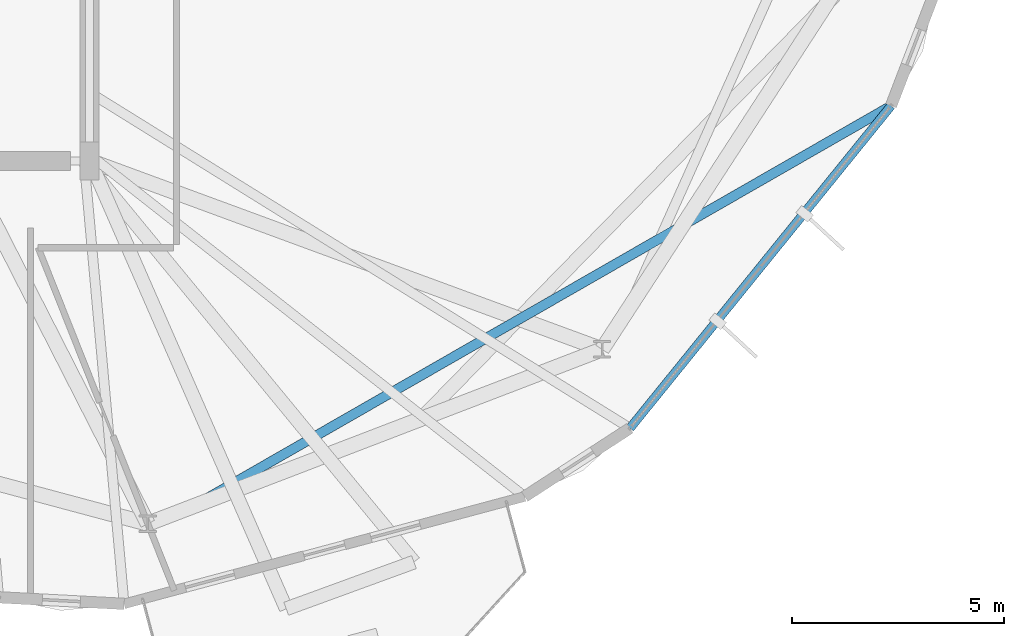
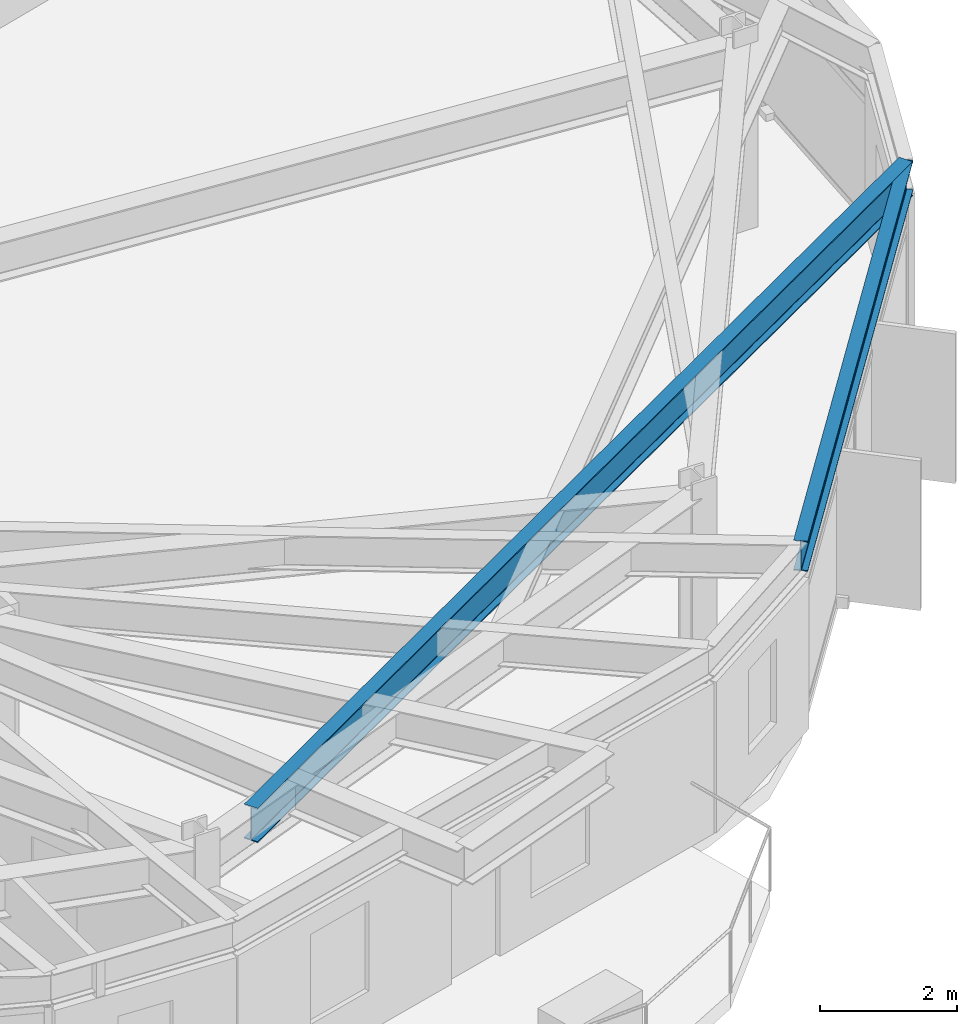
# One storey, part 9 of 29: 2 beams.
"""IFC4 building model written with IfcOpenShell, lengths in metres."""

from ifc_helpers import new_model, si_unit, direction, frame, origin, origin_2d, place, context, subcontext, project, spatial, i_section, extrude, material, material_profile, profile_set, type_object, element, save


model = new_model("IFC4")

# Units and contexts
model_context = context("Model", 3, precision=1e-05, world=origin(), true_north=direction((0.0, 1.0)))
body_context = subcontext(model_context, "Body", "Model", "MODEL_VIEW")
ifc_project = project(units=[si_unit("LENGTHUNIT", "METRE"), si_unit("AREAUNIT", "SQUARE_METRE"), si_unit("VOLUMEUNIT", "CUBIC_METRE"), si_unit("PLANEANGLEUNIT", "RADIAN"), si_unit("MASSUNIT", "GRAM", prefix="KILO")], contexts=[model_context])

# Site, building, storey
site_placement = place(None, origin())
site = spatial("IfcSite", under=ifc_project, at=site_placement, CompositionType="ELEMENT")
building_placement = place(site_placement, origin())
building = spatial("IfcBuilding", under=site, at=building_placement, Name="Soratama Intermodal Tower", CompositionType="ELEMENT")
storey_placement = place(building_placement, frame((0.0, 0.0, 219.39990234375)))
storey = spatial("IfcBuildingStorey", under=building, at=storey_placement, Name="L55", CompositionType="ELEMENT", Elevation=219.39990234375)

# Beams
ifc_material_1 = material(Name="Structural steel ASTM A992 Grade 50", Category="steel")
ifc_material_profile_1 = material_profile(ifc_material_1, i_section(OverallWidth=0.2099609375, OverallDepth=0.537109375, WebThickness=0.010986328125, FlangeThickness=0.017333984375, FilletRadius=0.012939453125, at=origin_2d()), Name="W21X68")
ifc_profile_set_1 = profile_set([ifc_material_profile_1], Name="Structural steel ASTM A992 Grade 50")
beam_type_1 = type_object("IfcBeamType", Name="BM-SPN-W21X68", PredefinedType="SPANDREL", material=ifc_profile_set_1)
beam_1_placement = place(storey_placement, frame((57.364013671875, 8.68408203125, 3.031494140625), z_axis=(0.629339434, 0.777130540393, 0.0), x_axis=(-0.777130540393, 0.629339434, 0.0)))
element("IfcBeam", 1, at=beam_1_placement, inside=storey, type_object=beam_type_1, Name="BS-L55-F08", PredefinedType="SPANDREL", context=body_context, shape_type="SweptSolid", body=[
    extrude(i_section(OverallWidth=0.2099609375, OverallDepth=0.537109375, WebThickness=0.010986328125, FlangeThickness=0.017333984375, FilletRadius=0.012939453125, at=origin_2d()), origin(), (0.0, 0.0, 1.0), 9.797607421875),
])
ifc_material_2 = material(Name="Structural steel ASTM A992 Grade 50", Category="steel")
ifc_material_profile_2 = material_profile(ifc_material_2, i_section(OverallWidth=0.22900390625, OverallDepth=0.612060546875, WebThickness=0.011962890625, FlangeThickness=0.01953125, FilletRadius=0.012939453125, at=origin_2d()), Name="W24X84")
ifc_profile_set_2 = profile_set([ifc_material_profile_2], Name="Structural steel ASTM A992 Grade 50")
beam_type_2 = type_object("IfcBeamType", Name="BM-TIE-W24X84", PredefinedType="BEAM", material=ifc_profile_set_2)
beam_2_placement = place(storey_placement, frame((47.06494140625, 6.85107421875, 2.994140625), z_axis=(0.867370408981, 0.49766311258, 0.0), x_axis=(-0.49766311258, 0.867370408981, 0.0)))
element("IfcBeam", 2, at=beam_2_placement, inside=storey, type_object=beam_type_2, Name="BM-L55-TIE1-08", PredefinedType="BEAM", context=body_context, shape_type="SweptSolid", body=[
    extrude(i_section(OverallWidth=0.22900390625, OverallDepth=0.612060546875, WebThickness=0.011962890625, FlangeThickness=0.01953125, FilletRadius=0.012939453125, at=origin_2d()), origin(), (0.0, 0.0, 1.0), 18.982666015625),
])

save(model, "model.ifc")
